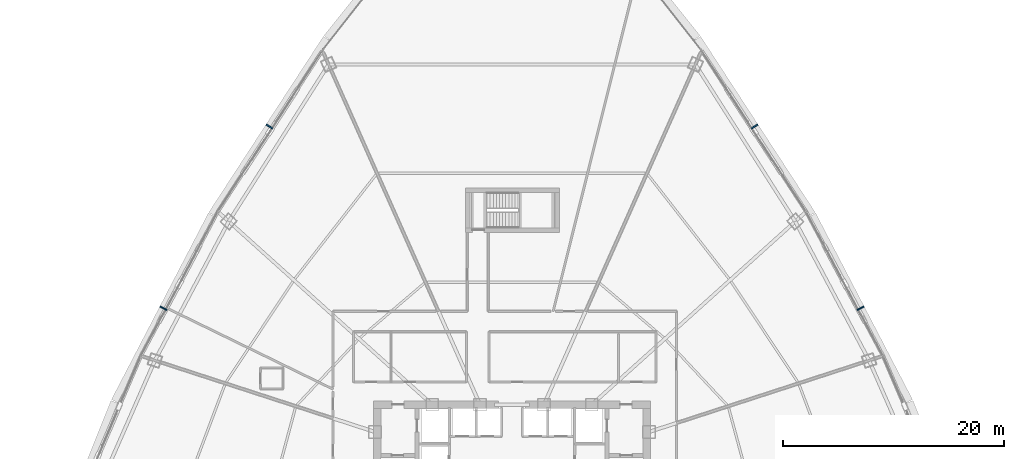
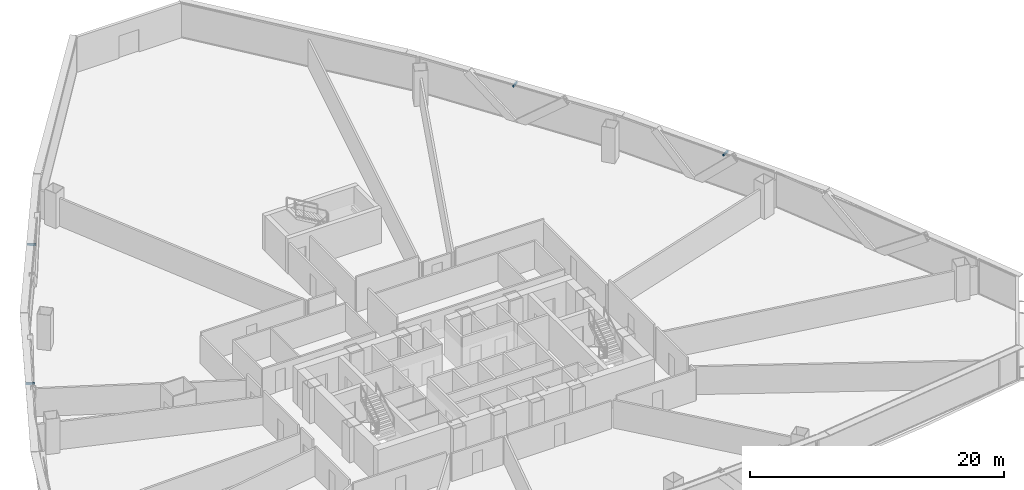
# One storey, part 33 of 37: 4 discrete accessories.
"""IFC4 building model written with IfcOpenShell, lengths in metres."""

import ifcopenshell
import ifcopenshell.guid

model = None  # the IFC model being written
_history = None  # IfcOwnerHistory: only IFC2X3 demands one
_inside = {}  # id of a spatial element -> (the spatial element, [elements in it])
_under = {}  # id of a project, library or spatial element -> (it, [spatial elements below it])
_declared = {}  # id of a project -> (the project, [libraries it declares])
_typed = {}  # id of a type object -> (the type object, [elements of that type])
_made_of = {}  # id of a material, layer set ... -> (it, [elements and type objects made of it])


def new_model(schema):
    """Start an empty IFC model of exactly this schema.

    Asked for "IFC4X3", IfcOpenShell would pick the latest addendum, in which some entities
    have other attributes; the version numbers below select the first issue.
    IFC2X3 requires an IfcOwnerHistory on every rooted entity: one is made here for all.
    """
    global model, _history
    if schema == "IFC4X3":
        model = ifcopenshell.file(schema_version=(4, 3, 0, 0))
    else:
        model = ifcopenshell.file(schema=schema)
    _inside.clear()
    _under.clear()
    _declared.clear()
    _typed.clear()
    _made_of.clear()
    _history = None
    if model.schema == "IFC2X3":
        org = make("IfcOrganization", Name="unknown")
        user = make(
            "IfcPersonAndOrganization",
            ThePerson=make("IfcPerson", FamilyName="unknown"),
            TheOrganization=org,
        )
        app = make(
            "IfcApplication",
            ApplicationDeveloper=org,
            Version="unknown",
            ApplicationFullName="unknown",
            ApplicationIdentifier="unknown",
        )
        _history = make(
            "IfcOwnerHistory",
            OwningUser=user,
            OwningApplication=app,
            ChangeAction="ADDED",
            CreationDate=0,
        )
    return model


def make(cls, **values):
    """One entity of the class cls with the attributes given. An attribute that is None is left unset."""
    return model.create_entity(
        cls, **{name: value for name, value in values.items() if value is not None}
    )


def rooted(cls, **values):
    """An entity with a GlobalId (a new one), such as an element, a storey or a relation."""
    return make(cls, GlobalId=ifcopenshell.guid.new(), OwnerHistory=_history, **values)


def si_unit(unit_type, name, prefix=None):
    """IfcSIUnit, for example si_unit("LENGTHUNIT", "METRE", prefix="MILLI")."""
    return make("IfcSIUnit", UnitType=unit_type, Prefix=prefix, Name=name)


def assignment(units):
    """IfcUnitAssignment: the units of a project."""
    return None if units is None else make("IfcUnitAssignment", Units=units)


def point(xyz):
    """IfcCartesianPoint."""
    return None if xyz is None else make("IfcCartesianPoint", Coordinates=xyz)


def direction(xyz):
    """IfcDirection."""
    return None if xyz is None else make("IfcDirection", DirectionRatios=xyz)


def frame(location, z_axis=None, x_axis=None):
    """IfcAxis2Placement3D, a coordinate frame: its origin and axes. An axis left out is left unset."""
    return make(
        "IfcAxis2Placement3D",
        Location=point(location),
        Axis=direction(z_axis),
        RefDirection=direction(x_axis),
    )


def frame_2d(location, x_axis=None):
    """IfcAxis2Placement2D, a coordinate frame in the plane: its origin and x axis."""
    return make(
        "IfcAxis2Placement2D", Location=point(location), RefDirection=direction(x_axis)
    )


def origin():
    """The frame at (0, 0, 0) with its axes left unset."""
    return frame((0.0, 0.0, 0.0))


def origin_2d():
    """The frame at (0, 0) in the plane with its x axis left unset."""
    return frame_2d((0.0, 0.0))


def place(relative_to, where):
    """IfcLocalPlacement: puts the frame where relative to a parent placement (None: the world)."""
    return make(
        "IfcLocalPlacement", PlacementRelTo=relative_to, RelativePlacement=where
    )


def context(
    kind, dimensions, precision=None, world=None, true_north=None, identifier=None
):
    """IfcGeometricRepresentationContext, for example the 3D "Model" context."""
    return make(
        "IfcGeometricRepresentationContext",
        ContextIdentifier=identifier,
        ContextType=kind,
        CoordinateSpaceDimension=dimensions,
        Precision=precision,
        WorldCoordinateSystem=world,
        TrueNorth=true_north,
    )


def subcontext(parent, identifier, kind, view, scale=None):
    """IfcGeometricRepresentationSubContext, for example "Body" below "Model"."""
    return make(
        "IfcGeometricRepresentationSubContext",
        ContextIdentifier=identifier,
        ContextType=kind,
        ParentContext=parent,
        TargetScale=scale,
        TargetView=view,
    )


def project(units=None, contexts=None):
    """IfcProject with its units and contexts."""
    return rooted(
        "IfcProject",
        Name="project",
        RepresentationContexts=contexts,
        UnitsInContext=assignment(units),
    )


def spatial(cls, under=None, at=None, **own):
    """A site, building, storey or space (cls), placed at a placement, below another one or the project."""
    s = rooted(cls, ObjectPlacement=at, **own)
    if under is not None:
        _under.setdefault(under.id(), (under, []))[1].append(s)
    return s


def profile(cls, at=None, kind="AREA", **sizes):
    """A parametric profile (cls). Its sizes go by their IFC names, for example OverallWidth=200.0."""
    return make(cls, ProfileType=kind, Position=at, **sizes)


def rectangle(**sizes):
    """IfcRectangleProfileDef."""
    return profile("IfcRectangleProfileDef", **sizes)


def extrude(swept, where, along, depth):
    """IfcExtrudedAreaSolid: the profile swept, set in the frame where, extruded along a direction by depth."""
    return make(
        "IfcExtrudedAreaSolid",
        SweptArea=swept,
        Position=where,
        ExtrudedDirection=direction(along),
        Depth=depth,
    )


def shape(context_of_items, identifier, shape_type, items):
    """IfcShapeRepresentation: the items that make up one representation, for example the "Body"."""
    return make(
        "IfcShapeRepresentation",
        ContextOfItems=context_of_items,
        RepresentationIdentifier=identifier,
        RepresentationType=shape_type,
        Items=items,
    )


def source(mapping_origin, context_of_items, identifier, shape_type, items):
    """IfcRepresentationMap: a shape defined once, which mapped items show again and again."""
    return make(
        "IfcRepresentationMap",
        MappingOrigin=mapping_origin,
        MappedRepresentation=shape(context_of_items, identifier, shape_type, items),
    )


def transform(
    local_origin,
    x_axis=None,
    y_axis=None,
    z_axis=None,
    scale=None,
    scale2=None,
    scale3=None,
    uniform=True,
):
    """IfcCartesianTransformationOperator3D, or its non-uniform kind. x_axis, y_axis, z_axis: its Axis1, 2, 3."""
    if uniform:
        return make(
            "IfcCartesianTransformationOperator3D",
            Axis1=direction(x_axis),
            Axis2=direction(y_axis),
            LocalOrigin=point(local_origin),
            Scale=scale,
            Axis3=direction(z_axis),
        )
    return make(
        "IfcCartesianTransformationOperator3DnonUniform",
        Axis1=direction(x_axis),
        Axis2=direction(y_axis),
        LocalOrigin=point(local_origin),
        Scale=scale,
        Axis3=direction(z_axis),
        Scale2=scale2,
        Scale3=scale3,
    )


def mapped(mapping_source, mapping_target):
    """IfcMappedItem: shows the shape of a source again, moved by a transform."""
    return make(
        "IfcMappedItem", MappingSource=mapping_source, MappingTarget=mapping_target
    )


def material(Name=None, Category=None):
    """IfcMaterial."""
    return make("IfcMaterial", Name=Name, Category=Category)


def made_of(thing, what):
    """Note that an element or type object is made of a material, layer set ...; save() writes the relation."""
    if what is not None:
        _made_of.setdefault(what.id(), (what, []))[1].append(thing)
    return thing


def type_object(cls, material=None, **own):
    """A type object (cls), such as IfcWallType, which elements share."""
    return made_of(rooted(cls, **own), material)


def element(
    cls,
    number,
    at=None,
    inside=None,
    cuts=None,
    type_object=None,
    material=None,
    context=None,
    identifier="Body",
    shape_type=None,
    held_by="IfcProductDefinitionShape",
    body=None,
    shapes=None,
    **own,
):
    """One element of the class cls, such as IfcWall. Its Tag is "e" and its number.

    at: its placement. inside: the storey or other place that contains it. cuts: it is an
    opening in that element (IfcRelVoidsElement). A single representation is given by context,
    identifier, shape_type and body (its items); several are given by shapes. held_by: the class
    of the entity that holds the representations. save() writes the other relations.
    """
    e = rooted(cls, Tag="e%d" % number, ObjectPlacement=at, **own)
    if body is not None:
        shapes = [shape(context, identifier, shape_type, body)]
    if shapes is not None:
        e.Representation = make(held_by, Representations=shapes)
    if inside is not None:
        _inside.setdefault(inside.id(), (inside, []))[1].append(e)
    if cuts is not None:
        rooted(
            "IfcRelVoidsElement", RelatingBuildingElement=cuts, RelatedOpeningElement=e
        )
    if type_object is not None:
        _typed.setdefault(type_object.id(), (type_object, []))[1].append(e)
    return made_of(e, material)


def aggregate(whole, parts):
    """IfcRelAggregates: a whole, such as a stair, and the parts it consists of."""
    return rooted("IfcRelAggregates", RelatingObject=whole, RelatedObjects=parts)


def save(model, path):
    """Write the relations noted so far, then the file.

    IfcRelAggregates (storeys below a building ...), IfcRelContainedInSpatialStructure (elements
    in a storey), IfcRelDefinesByType, IfcRelAssociatesMaterial and IfcRelDeclares: one each for
    every whole, place, type object, material and project.
    """
    for whole, parts in _under.values():
        aggregate(whole, parts)
    for where, things in _inside.values():
        rooted(
            "IfcRelContainedInSpatialStructure",
            RelatedElements=things,
            RelatingStructure=where,
        )
    for kind, things in _typed.values():
        rooted("IfcRelDefinesByType", RelatedObjects=things, RelatingType=kind)
    for what, things in _made_of.values():
        rooted("IfcRelAssociatesMaterial", RelatedObjects=things, RelatingMaterial=what)
    for by, libraries in _declared.values():
        rooted("IfcRelDeclares", RelatingContext=by, RelatedDefinitions=libraries)
    model.write(path)


model = new_model("IFC4")

# Units and contexts
model_context = context("Model", 3, precision=1e-05, world=origin(), true_north=direction((0.0, 1.0)))
body_context = subcontext(model_context, "Body", "Model", "MODEL_VIEW")
ifc_project = project(units=[si_unit("LENGTHUNIT", "METRE"), si_unit("AREAUNIT", "SQUARE_METRE"), si_unit("VOLUMEUNIT", "CUBIC_METRE"), si_unit("PLANEANGLEUNIT", "RADIAN"), si_unit("MASSUNIT", "GRAM", prefix="KILO"), si_unit("THERMODYNAMICTEMPERATUREUNIT", "KELVIN"), si_unit("POWERUNIT", "WATT")], contexts=[model_context])

# Site, building, storey
site_placement = place(None, origin())
site = spatial("IfcSite", under=ifc_project, at=site_placement, CompositionType="ELEMENT")
building_placement = place(site_placement, origin())
building = spatial("IfcBuilding", under=site, at=building_placement, Name="Yunzhuo Pagoda Commons", CompositionType="ELEMENT")
storey_placement = place(building_placement, frame((0.0, 0.0, 55.81005859375)))
storey = spatial("IfcBuildingStorey", under=building, at=storey_placement, Name="L14", CompositionType="ELEMENT", Elevation=55.81005859375)

# Discrete accessories
ifc_material = material(Name="Anodized aluminium 6063-T6", Category="aluminium")
discrete_accessory_type = type_object("IfcDiscreteAccessoryType", Name="BK-SUN1 Sunshade Outrigger Bracket", PredefinedType="BRACKET", material=ifc_material)
shared_shape = source(origin(), body_context, "Body", "SweptSolid", [
    extrude(rectangle(XDim=0.1201171875, YDim=0.679931640625, at=origin_2d()), origin(), (0.0, 0.0, 1.0), 0.179931640625),
])
for number, where, z_axis, x_axis, name in (
    (1, (79.564697265625, 48.936279296875, 3.16015625), (0.0, 0.0, 1.0), (-0.461206683033, 0.88729273384, 0.0), "L14 sunshade outrigger bracket F2.2"),
    (2, (69.9619140625, 65.38671875, 3.16015625), (0.0, 0.0, 1.0), (-0.545838756973, 0.837890238269, 0.0), "L14 sunshade outrigger bracket F2.3"),
    (3, (26.0380859375, 65.38671875, 3.16015625), (0.0, 0.0, 1.0), (-0.545838756973, -0.837890238269, 0.0), "L14 sunshade outrigger bracket F3.2"),
    (4, (16.435302734375, 48.936279296875, 3.16015625), (0.0, 0.0, 1.0), (-0.461206683033, -0.88729273384, 0.0), "L14 sunshade outrigger bracket F3.3"),
):
    element("IfcDiscreteAccessory", number, at=place(storey_placement, frame(where, z_axis=z_axis, x_axis=x_axis)), inside=storey, type_object=discrete_accessory_type, Name=name, PredefinedType="BRACKET", context=body_context, shape_type="MappedRepresentation", body=[
        mapped(shared_shape, transform((0.0, 0.0, 0.0), scale=1.0)),
    ])

save(model, "model.ifc")
